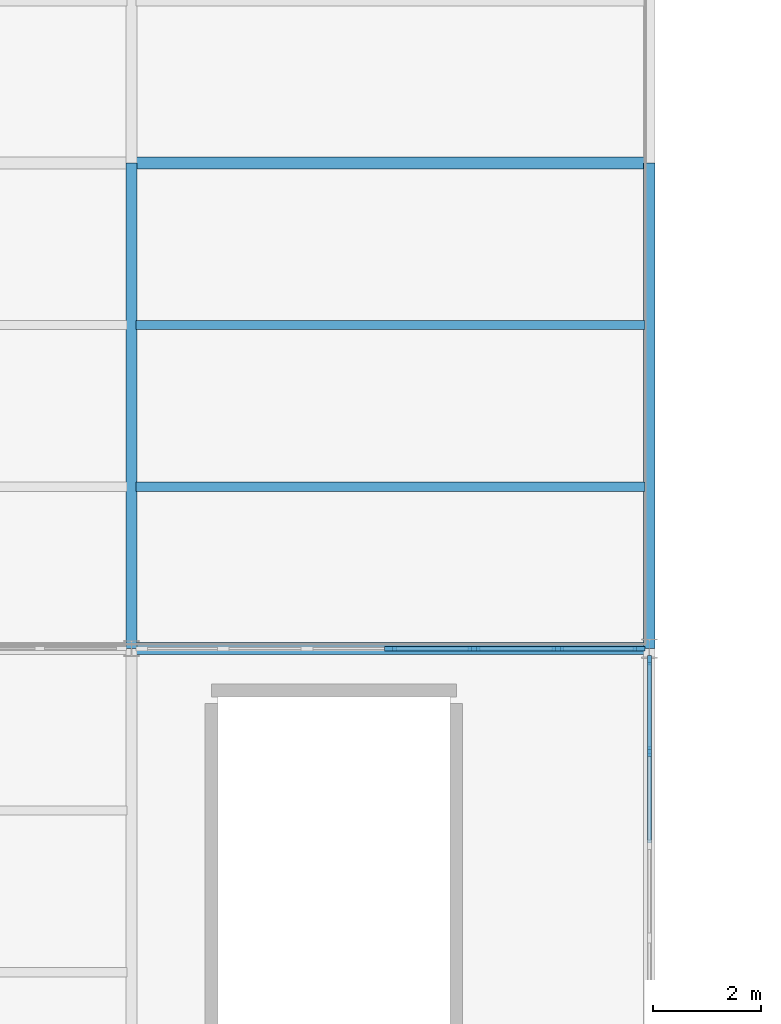
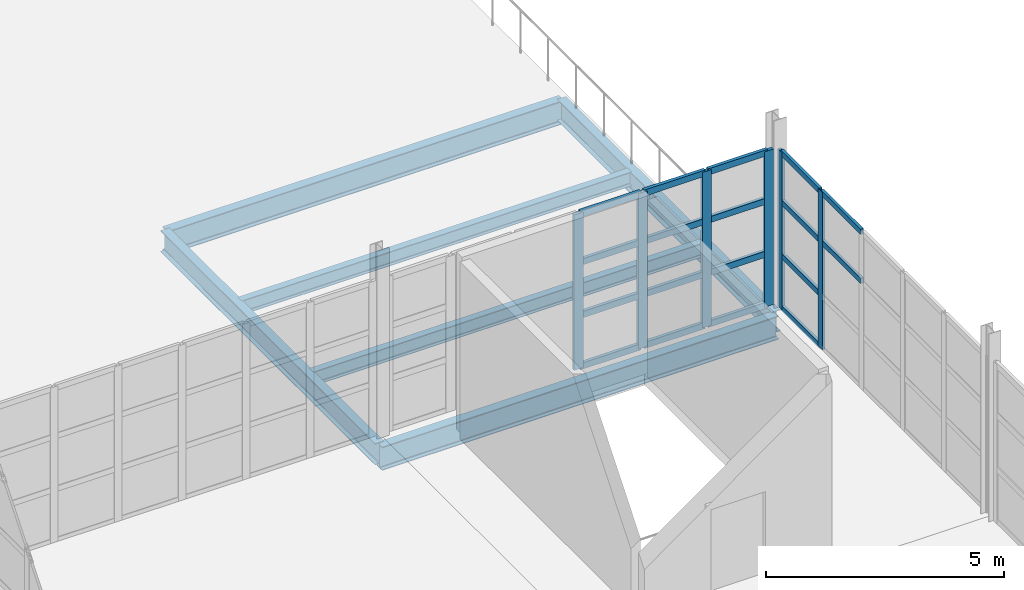
# One storey, part 67 of 120: 24 members, 6 beams, 2 elements without a shape of their own.
"""IFC4 building model written with IfcOpenShell, lengths in metres."""

from ifc_helpers import new_model, si_unit, direction, frame, origin, origin_2d, place, context, subcontext, project, spatial, rectangle, i_section, extrude, material, layer, layer_set, material_profile, profile_set, type_object, element, aggregate, save


model = new_model("IFC4")

# Units and contexts
model_context = context("Model", 3, precision=1e-05, world=origin(), true_north=direction((0.0, 1.0)))
body_context = subcontext(model_context, "Body", "Model", "MODEL_VIEW")
ifc_project = project(units=[si_unit("LENGTHUNIT", "METRE"), si_unit("AREAUNIT", "SQUARE_METRE"), si_unit("VOLUMEUNIT", "CUBIC_METRE"), si_unit("PLANEANGLEUNIT", "RADIAN"), si_unit("MASSUNIT", "GRAM", prefix="KILO")], contexts=[model_context])

# Site, building, storey
site_placement = place(None, origin())
site = spatial("IfcSite", under=ifc_project, at=site_placement, CompositionType="ELEMENT")
building_placement = place(site_placement, origin())
building = spatial("IfcBuilding", under=site, at=building_placement, Name="Zarnetskaya Central Station", CompositionType="ELEMENT")
storey_placement = place(building_placement, frame((0.0, 0.0, 5.39990234375)))
storey = spatial("IfcBuildingStorey", under=building, at=storey_placement, Name="L01", CompositionType="ELEMENT", Elevation=5.39990234375)

# Beams
ifc_material_1 = material(Name="Steel S355", Category="steel")
ifc_material_profile_1 = material_profile(ifc_material_1, i_section(OverallWidth=0.169921875, OverallDepth=0.360107421875, WebThickness=0.008056640625, FlangeThickness=0.0126953125, FilletRadius=0.01806640625, at=origin_2d()), Name="IPE 360")
ifc_profile_set_1 = profile_set([ifc_material_profile_1], Name="Steel S355")
beam_type_1 = type_object("IfcBeamType", Name="BM-SEC-360", PredefinedType="BEAM", material=ifc_profile_set_1)
for number, where, z_axis, x_axis, name in (
    (1, (163.280029296875, 25.199951171875, -0.39990234375), (1.0, 0.0, 0.0), (0.0, 1.0, 0.0), "Secondary floor beam SEC-L01-Z518-TU-45-1"),
    (2, (163.280029296875, 28.199951171875, -0.39990234375), (1.0, 0.0, 0.0), (0.0, 1.0, 0.0), "Secondary floor beam SEC-L01-Z518-TU-45-2"),
):
    element("IfcBeam", number, at=place(storey_placement, frame(where, z_axis=z_axis, x_axis=x_axis)), inside=storey, type_object=beam_type_1, Name=name, PredefinedType="BEAM", context=body_context, shape_type="SweptSolid", body=[
        extrude(i_section(OverallWidth=0.169921875, OverallDepth=0.360107421875, WebThickness=0.008056640625, FlangeThickness=0.0126953125, FilletRadius=0.01806640625, at=origin_2d()), origin(), (0.0, 0.0, 1.0), 9.43994140625),
    ])

# Curtain wall, members
ifc_material_2 = material(Name="Low-E insulated glass", Category="glass")
ifc_layer = layer(ifc_material_2, 0.159912109375, Name="Low-E insulated glass", Category="glass")
ifc_layer_set = layer_set([ifc_layer], Name="Low-E insulated glass")
curtain_wall_type = type_object("IfcCurtainWallType", Name="CW-SYS-06", PredefinedType="USERDEFINED", material=ifc_layer_set)
curtain_wall_1_placement = place(storey_placement, origin())
curtain_wall_1 = element("IfcCurtainWall", 3, at=curtain_wall_1_placement, inside=storey, type_object=curtain_wall_type, Name="Curtain wall CW-L01-119", ObjectType="CURTAIN WALL", PredefinedType="USERDEFINED")
ifc_material_3 = material(Name="Anodised aluminium", Category="aluminium")
ifc_material_profile_2 = material_profile(ifc_material_3, rectangle(XDim=0.070068359375, YDim=0.179931640625, at=origin_2d()), Name="ALU MULL 70x180")
ifc_profile_set_2 = profile_set([ifc_material_profile_2], Name="Anodised aluminium")
member_type_1 = type_object("IfcMemberType", Name="CW-MULL-180", PredefinedType="MULLION", material=ifc_profile_set_2)
member_1_placement = place(storey_placement, frame((172.800048828125, 21.985107421875, 0.0), z_axis=(0.0, 0.0, 1.0), x_axis=(1.0, 0.0, 0.0)))
member_1 = element("IfcMember", 4, at=member_1_placement, type_object=member_type_1, Name="CW-02 mullion 1", PredefinedType="MULLION", context=body_context, shape_type="SweptSolid", body=[
    extrude(rectangle(XDim=0.070068359375, YDim=0.179931640625, at=origin_2d()), origin(), (0.0, 0.0, 1.0), 4.030029296875),
])
member_2_placement = place(storey_placement, frame((172.800048828125, 20.2919921875, 0.0), z_axis=(0.0, 0.0, 1.0), x_axis=(1.0, 0.0, 0.0)))
member_2 = element("IfcMember", 5, at=member_2_placement, type_object=member_type_1, Name="CW-02 mullion 2", PredefinedType="MULLION", context=body_context, shape_type="SweptSolid", body=[
    extrude(rectangle(XDim=0.070068359375, YDim=0.179931640625, at=origin_2d()), origin(), (0.0, 0.0, 1.0), 4.030029296875),
])

curtain_wall_2_placement = place(storey_placement, origin())
curtain_wall_2 = element("IfcCurtainWall", 6, at=curtain_wall_2_placement, inside=storey, type_object=curtain_wall_type, Name="Curtain wall CW-L01-118", ObjectType="CURTAIN WALL", PredefinedType="USERDEFINED")
ifc_material_profile_3 = material_profile(ifc_material_3, rectangle(XDim=0.080078125, YDim=0.219970703125, at=origin_2d()), Name="ALU MULL 80x220")
ifc_profile_set_3 = profile_set([ifc_material_profile_3], Name="Anodised aluminium")
member_type_2 = type_object("IfcMemberType", Name="CW-MULL-220", PredefinedType="MULLION", material=ifc_profile_set_3)
member_3_placement = place(storey_placement, frame((168.0, 22.199951171875, 0.0), z_axis=(0.0, 0.0, 1.0), x_axis=(0.0, 1.0, 0.0)))
member_3 = element("IfcMember", 7, at=member_3_placement, type_object=member_type_2, Name="CW-02 mullion 4", PredefinedType="MULLION", context=body_context, shape_type="SweptSolid", body=[
    extrude(rectangle(XDim=0.080078125, YDim=0.219970703125, at=origin_2d()), origin(), (0.0, 0.0, 1.0), 3.97998046875),
])
member_4_placement = place(storey_placement, frame((169.550048828125, 22.199951171875, 0.0), z_axis=(0.0, 0.0, 1.0), x_axis=(0.0, 1.0, 0.0)))
member_4 = element("IfcMember", 8, at=member_4_placement, type_object=member_type_2, Name="CW-02 mullion 5", PredefinedType="MULLION", context=body_context, shape_type="SweptSolid", body=[
    extrude(rectangle(XDim=0.080078125, YDim=0.219970703125, at=origin_2d()), origin(), (0.0, 0.0, 1.0), 3.97998046875),
])
member_5_placement = place(storey_placement, frame((171.10009765625, 22.199951171875, 0.0), z_axis=(0.0, 0.0, 1.0), x_axis=(0.0, 1.0, 0.0)))
member_5 = element("IfcMember", 9, at=member_5_placement, type_object=member_type_2, Name="CW-02 mullion 6", PredefinedType="MULLION", context=body_context, shape_type="SweptSolid", body=[
    extrude(rectangle(XDim=0.080078125, YDim=0.219970703125, at=origin_2d()), origin(), (0.0, 0.0, 1.0), 3.97998046875),
])
member_6_placement = place(storey_placement, frame((172.610107421875, 22.199951171875, 0.0), z_axis=(0.0, 0.0, 1.0), x_axis=(0.0, 1.0, 0.0)))
member_6 = element("IfcMember", 10, at=member_6_placement, type_object=member_type_2, Name="CW-02 mullion 7", PredefinedType="MULLION", context=body_context, shape_type="SweptSolid", body=[
    extrude(rectangle(XDim=0.080078125, YDim=0.219970703125, at=origin_2d()), origin(), (0.0, 0.0, 1.0), 3.97998046875),
])

# Member
ifc_material_profile_4 = material_profile(ifc_material_3, rectangle(XDim=0.070068359375, YDim=0.139892578125, at=origin_2d()), Name="ALU TRAN 70x140")
ifc_profile_set_4 = profile_set([ifc_material_profile_4], Name="Anodised aluminium")
member_type_3 = type_object("IfcMemberType", Name="CW-TRAN-140", PredefinedType="USERDEFINED", material=ifc_profile_set_4)
member_7_placement = place(storey_placement, frame((172.800048828125, 21.949951171875, 0.03515625), z_axis=(0.0, -1.0, 0.0), x_axis=(1.0, 0.0, 0.0)))
member_7 = element("IfcMember", 11, at=member_7_placement, type_object=member_type_3, Name="CW-02 transom 1.1", ObjectType="TRANSOM", PredefinedType="USERDEFINED", context=body_context, shape_type="SweptSolid", body=[
    extrude(rectangle(XDim=0.070068359375, YDim=0.139892578125, at=origin_2d()), origin(), (0.0, 0.0, 1.0), 1.623046875),
])

member_8_placement = place(storey_placement, frame((172.800048828125, 21.949951171875, 1.3701171875), z_axis=(0.0, -1.0, 0.0), x_axis=(1.0, 0.0, 0.0)))
member_8 = element("IfcMember", 12, at=member_8_placement, type_object=member_type_3, Name="CW-02 transom 1.2", ObjectType="TRANSOM", PredefinedType="USERDEFINED", context=body_context, shape_type="SweptSolid", body=[
    extrude(rectangle(XDim=0.070068359375, YDim=0.139892578125, at=origin_2d()), origin(), (0.0, 0.0, 1.0), 1.623046875),
])

member_9_placement = place(storey_placement, frame((172.800048828125, 21.949951171875, 2.739990234375), z_axis=(0.0, -1.0, 0.0), x_axis=(1.0, 0.0, 0.0)))
member_9 = element("IfcMember", 13, at=member_9_placement, type_object=member_type_3, Name="CW-02 transom 1.3", ObjectType="TRANSOM", PredefinedType="USERDEFINED", context=body_context, shape_type="SweptSolid", body=[
    extrude(rectangle(XDim=0.070068359375, YDim=0.139892578125, at=origin_2d()), origin(), (0.0, 0.0, 1.0), 1.623046875),
])

member_10_placement = place(storey_placement, frame((172.800048828125, 21.949951171875, 3.9951171875), z_axis=(0.0, -1.0, 0.0), x_axis=(1.0, 0.0, 0.0)))
member_10 = element("IfcMember", 14, at=member_10_placement, type_object=member_type_3, Name="CW-02 transom 1.4", ObjectType="TRANSOM", PredefinedType="USERDEFINED", context=body_context, shape_type="SweptSolid", body=[
    extrude(rectangle(XDim=0.070068359375, YDim=0.139892578125, at=origin_2d()), origin(), (0.0, 0.0, 1.0), 1.623046875),
])

member_11_placement = place(storey_placement, frame((172.800048828125, 20.257080078125, 2.739990234375), z_axis=(0.0, -1.0, 0.0), x_axis=(1.0, 0.0, 0.0)))
member_11 = element("IfcMember", 15, at=member_11_placement, type_object=member_type_3, Name="CW-02 transom 2.3", ObjectType="TRANSOM", PredefinedType="USERDEFINED", context=body_context, shape_type="SweptSolid", body=[
    extrude(rectangle(XDim=0.070068359375, YDim=0.139892578125, at=origin_2d()), origin(), (0.0, 0.0, 1.0), 1.657958984375),
])

member_12_placement = place(storey_placement, frame((172.800048828125, 20.257080078125, 3.9951171875), z_axis=(0.0, -1.0, 0.0), x_axis=(1.0, 0.0, 0.0)))
member_12 = element("IfcMember", 16, at=member_12_placement, type_object=member_type_3, Name="CW-02 transom 2.4", ObjectType="TRANSOM", PredefinedType="USERDEFINED", context=body_context, shape_type="SweptSolid", body=[
    extrude(rectangle(XDim=0.070068359375, YDim=0.139892578125, at=origin_2d()), origin(), (0.0, 0.0, 1.0), 1.657958984375),
])

aggregate(curtain_wall_1, [member_1, member_2, member_7, member_8, member_9, member_10, member_11, member_12])

ifc_material_profile_5 = material_profile(ifc_material_3, rectangle(XDim=0.080078125, YDim=0.159912109375, at=origin_2d()), Name="ALU TRAN 80x160")
ifc_profile_set_5 = profile_set([ifc_material_profile_5], Name="Anodised aluminium")
member_type_4 = type_object("IfcMemberType", Name="CW-TRAN-160", PredefinedType="USERDEFINED", material=ifc_profile_set_5)
member_13_placement = place(storey_placement, frame((168.0400390625, 22.199951171875, 0.0400390625), z_axis=(1.0, 0.0, 0.0), x_axis=(0.0, 1.0, 0.0)))
member_13 = element("IfcMember", 17, at=member_13_placement, type_object=member_type_4, Name="CW-02 transom 4.1", ObjectType="TRANSOM", PredefinedType="USERDEFINED", context=body_context, shape_type="SweptSolid", body=[
    extrude(rectangle(XDim=0.080078125, YDim=0.159912109375, at=origin_2d()), origin(), (0.0, 0.0, 1.0), 1.469970703125),
])

member_14_placement = place(storey_placement, frame((168.0400390625, 22.199951171875, 1.35302734375), z_axis=(1.0, 0.0, 0.0), x_axis=(0.0, 1.0, 0.0)))
member_14 = element("IfcMember", 18, at=member_14_placement, type_object=member_type_4, Name="CW-02 transom 4.2", ObjectType="TRANSOM", PredefinedType="USERDEFINED", context=body_context, shape_type="SweptSolid", body=[
    extrude(rectangle(XDim=0.080078125, YDim=0.159912109375, at=origin_2d()), origin(), (0.0, 0.0, 1.0), 1.469970703125),
])

member_15_placement = place(storey_placement, frame((168.0400390625, 22.199951171875, 2.7060546875), z_axis=(1.0, 0.0, 0.0), x_axis=(0.0, 1.0, 0.0)))
member_15 = element("IfcMember", 19, at=member_15_placement, type_object=member_type_4, Name="CW-02 transom 4.3", ObjectType="TRANSOM", PredefinedType="USERDEFINED", context=body_context, shape_type="SweptSolid", body=[
    extrude(rectangle(XDim=0.080078125, YDim=0.159912109375, at=origin_2d()), origin(), (0.0, 0.0, 1.0), 1.469970703125),
])

member_16_placement = place(storey_placement, frame((168.0400390625, 22.199951171875, 3.940185546875), z_axis=(1.0, 0.0, 0.0), x_axis=(0.0, 1.0, 0.0)))
member_16 = element("IfcMember", 20, at=member_16_placement, type_object=member_type_4, Name="CW-02 transom 4.4", ObjectType="TRANSOM", PredefinedType="USERDEFINED", context=body_context, shape_type="SweptSolid", body=[
    extrude(rectangle(XDim=0.080078125, YDim=0.159912109375, at=origin_2d()), origin(), (0.0, 0.0, 1.0), 1.469970703125),
])

member_17_placement = place(storey_placement, frame((169.590087890625, 22.199951171875, 0.0400390625), z_axis=(1.0, 0.0, 0.0), x_axis=(0.0, 1.0, 0.0)))
member_17 = element("IfcMember", 21, at=member_17_placement, type_object=member_type_4, Name="CW-02 transom 5.1", ObjectType="TRANSOM", PredefinedType="USERDEFINED", context=body_context, shape_type="SweptSolid", body=[
    extrude(rectangle(XDim=0.080078125, YDim=0.159912109375, at=origin_2d()), origin(), (0.0, 0.0, 1.0), 1.469970703125),
])

member_18_placement = place(storey_placement, frame((169.590087890625, 22.199951171875, 1.35302734375), z_axis=(1.0, 0.0, 0.0), x_axis=(0.0, 1.0, 0.0)))
member_18 = element("IfcMember", 22, at=member_18_placement, type_object=member_type_4, Name="CW-02 transom 5.2", ObjectType="TRANSOM", PredefinedType="USERDEFINED", context=body_context, shape_type="SweptSolid", body=[
    extrude(rectangle(XDim=0.080078125, YDim=0.159912109375, at=origin_2d()), origin(), (0.0, 0.0, 1.0), 1.469970703125),
])

member_19_placement = place(storey_placement, frame((169.590087890625, 22.199951171875, 2.7060546875), z_axis=(1.0, 0.0, 0.0), x_axis=(0.0, 1.0, 0.0)))
member_19 = element("IfcMember", 23, at=member_19_placement, type_object=member_type_4, Name="CW-02 transom 5.3", ObjectType="TRANSOM", PredefinedType="USERDEFINED", context=body_context, shape_type="SweptSolid", body=[
    extrude(rectangle(XDim=0.080078125, YDim=0.159912109375, at=origin_2d()), origin(), (0.0, 0.0, 1.0), 1.469970703125),
])

member_20_placement = place(storey_placement, frame((169.590087890625, 22.199951171875, 3.940185546875), z_axis=(1.0, 0.0, 0.0), x_axis=(0.0, 1.0, 0.0)))
member_20 = element("IfcMember", 24, at=member_20_placement, type_object=member_type_4, Name="CW-02 transom 5.4", ObjectType="TRANSOM", PredefinedType="USERDEFINED", context=body_context, shape_type="SweptSolid", body=[
    extrude(rectangle(XDim=0.080078125, YDim=0.159912109375, at=origin_2d()), origin(), (0.0, 0.0, 1.0), 1.469970703125),
])

member_21_placement = place(storey_placement, frame((171.139892578125, 22.199951171875, 0.0400390625), z_axis=(1.0, 0.0, 0.0), x_axis=(0.0, 1.0, 0.0)))
member_21 = element("IfcMember", 25, at=member_21_placement, type_object=member_type_4, Name="CW-02 transom 6.1", ObjectType="TRANSOM", PredefinedType="USERDEFINED", context=body_context, shape_type="SweptSolid", body=[
    extrude(rectangle(XDim=0.080078125, YDim=0.159912109375, at=origin_2d()), origin(), (0.0, 0.0, 1.0), 1.43017578125),
])

member_22_placement = place(storey_placement, frame((171.139892578125, 22.199951171875, 1.35302734375), z_axis=(1.0, 0.0, 0.0), x_axis=(0.0, 1.0, 0.0)))
member_22 = element("IfcMember", 26, at=member_22_placement, type_object=member_type_4, Name="CW-02 transom 6.2", ObjectType="TRANSOM", PredefinedType="USERDEFINED", context=body_context, shape_type="SweptSolid", body=[
    extrude(rectangle(XDim=0.080078125, YDim=0.159912109375, at=origin_2d()), origin(), (0.0, 0.0, 1.0), 1.43017578125),
])

member_23_placement = place(storey_placement, frame((171.139892578125, 22.199951171875, 2.7060546875), z_axis=(1.0, 0.0, 0.0), x_axis=(0.0, 1.0, 0.0)))
member_23 = element("IfcMember", 27, at=member_23_placement, type_object=member_type_4, Name="CW-02 transom 6.3", ObjectType="TRANSOM", PredefinedType="USERDEFINED", context=body_context, shape_type="SweptSolid", body=[
    extrude(rectangle(XDim=0.080078125, YDim=0.159912109375, at=origin_2d()), origin(), (0.0, 0.0, 1.0), 1.43017578125),
])

member_24_placement = place(storey_placement, frame((171.139892578125, 22.199951171875, 3.940185546875), z_axis=(1.0, 0.0, 0.0), x_axis=(0.0, 1.0, 0.0)))
member_24 = element("IfcMember", 28, at=member_24_placement, type_object=member_type_4, Name="CW-02 transom 6.4", ObjectType="TRANSOM", PredefinedType="USERDEFINED", context=body_context, shape_type="SweptSolid", body=[
    extrude(rectangle(XDim=0.080078125, YDim=0.159912109375, at=origin_2d()), origin(), (0.0, 0.0, 1.0), 1.43017578125),
])

aggregate(curtain_wall_2, [member_3, member_4, member_5, member_6, member_13, member_14, member_15, member_16, member_17, member_18, member_19, member_20, member_21, member_22, member_23, member_24])

# Beams
ifc_material_profile_6 = material_profile(ifc_material_1, i_section(OverallWidth=0.2099609375, OverallDepth=0.550048828125, WebThickness=0.010986328125, FlangeThickness=0.01708984375, FilletRadius=0.02392578125, at=origin_2d()), Name="IPE 550")
ifc_profile_set_6 = profile_set([ifc_material_profile_6], Name="Steel S355")
beam_type_2 = type_object("IfcBeamType", Name="GD-FLR-550", PredefinedType="USERDEFINED", material=ifc_profile_set_6)
for number, where, z_axis, x_axis, name in (
    (29, (163.199951171875, 22.199951171875, -0.494873046875), (0.0, 1.0, 0.0), (-1.0, 0.0, 0.0), "Grid girder GY-L01-T-45"),
    (30, (172.800048828125, 22.199951171875, -0.494873046875), (0.0, 1.0, 0.0), (-1.0, 0.0, 0.0), "Grid girder GY-L01-U-45"),
):
    element("IfcBeam", number, at=place(storey_placement, frame(where, z_axis=z_axis, x_axis=x_axis)), inside=storey, type_object=beam_type_2, Name=name, ObjectType="GIRDER", PredefinedType="USERDEFINED", context=body_context, shape_type="SweptSolid", body=[
        extrude(i_section(OverallWidth=0.2099609375, OverallDepth=0.550048828125, WebThickness=0.010986328125, FlangeThickness=0.01708984375, FilletRadius=0.02392578125, at=origin_2d()), origin(), (0.0, 0.0, 1.0), 9.0),
    ])
ifc_material_profile_7 = material_profile(ifc_material_1, i_section(OverallWidth=0.219970703125, OverallDepth=0.60009765625, WebThickness=0.011962890625, FlangeThickness=0.01904296875, FilletRadius=0.02392578125, at=origin_2d()), Name="IPE 600")
ifc_profile_set_7 = profile_set([ifc_material_profile_7], Name="Steel S355")
beam_type_3 = type_object("IfcBeamType", Name="GD-FLR-600", PredefinedType="USERDEFINED", material=ifc_profile_set_7)
for number, where, z_axis, x_axis, name in (
    (31, (163.199951171875, 22.199951171875, -0.579833984375), (1.0, 0.0, 0.0), (0.0, 1.0, 0.0), "Grid girder GX-L01-4-TU"),
    (32, (163.199951171875, 31.199951171875, -0.52001953125), (1.0, 0.0, 0.0), (0.0, 1.0, 0.0), "Grid girder GX-L01-5-TU"),
):
    element("IfcBeam", number, at=place(storey_placement, frame(where, z_axis=z_axis, x_axis=x_axis)), inside=storey, type_object=beam_type_3, Name=name, ObjectType="GIRDER", PredefinedType="USERDEFINED", context=body_context, shape_type="SweptSolid", body=[
        extrude(i_section(OverallWidth=0.219970703125, OverallDepth=0.60009765625, WebThickness=0.011962890625, FlangeThickness=0.01904296875, FilletRadius=0.02392578125, at=origin_2d()), origin(), (0.0, 0.0, 1.0), 9.60009765625),
    ])

save(model, "model.ifc")
